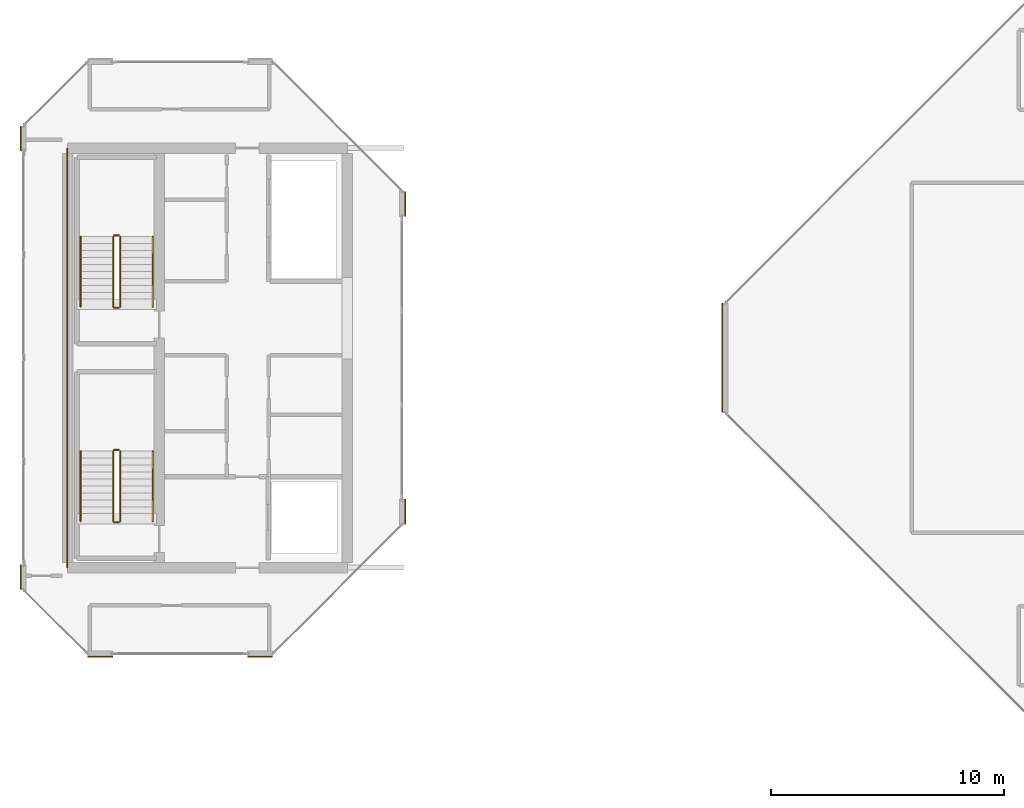
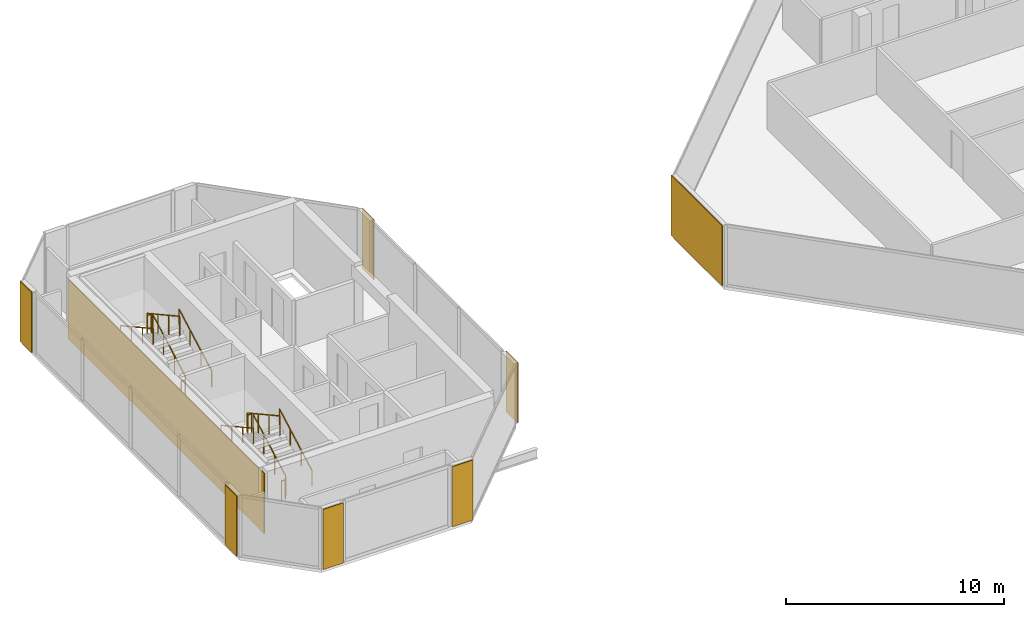
# One storey, part 26 of 28: 12 railings, 8 coverings.
"""IFC4 building model written with IfcOpenShell, lengths in metres."""

from ifc_helpers import new_model, si_unit, direction, frame, origin, origin_2d, place, context, subcontext, project, spatial, rectangle, extrude, material, layer, layer_set, type_object, element, save


model = new_model("IFC4")

# Units and contexts
model_context = context("Model", 3, precision=1e-05, world=origin(), true_north=direction((0.0, 1.0)))
body_context = subcontext(model_context, "Body", "Model", "MODEL_VIEW")
ifc_project = project(units=[si_unit("LENGTHUNIT", "METRE"), si_unit("AREAUNIT", "SQUARE_METRE"), si_unit("VOLUMEUNIT", "CUBIC_METRE"), si_unit("PLANEANGLEUNIT", "RADIAN"), si_unit("MASSUNIT", "GRAM", prefix="KILO")], contexts=[model_context])

# Site, building, storey
site_placement = place(None, origin())
site = spatial("IfcSite", under=ifc_project, at=site_placement, CompositionType="ELEMENT")
building_placement = place(site_placement, origin())
building = spatial("IfcBuilding", under=site, at=building_placement, Name="Tanjung Sevakor Pilgrim Tower", CompositionType="ELEMENT")
storey_placement = place(building_placement, frame((0.0, 0.0, 249.81005859375)))
storey = spatial("IfcBuildingStorey", under=building, at=storey_placement, Name="L70", CompositionType="ELEMENT", Elevation=249.81005859375)

# Coverings
ifc_material_1 = material(Name="Reconstructed Limestone Cladding", Category="masonry")
ifc_layer = layer(ifc_material_1, 0.044921875)
ifc_layer_set = layer_set([ifc_layer], Name="COV-CLAD-LIMESTONE")
covering_type = type_object("IfcCoveringType", Name="COV-CLAD-LIMESTONE", PredefinedType="CLADDING", material=ifc_layer_set)
for number, where, z_axis, x_axis, name in (
    (1, (25.3955078125, 20.777587890625, 0.019775390625), (0.0, 0.0, 1.0), (1.0, 0.0, 0.0), "L70 Warm Limestone Wall Cladding EW-CRN1-L70-WEST-0-1"),
    (2, (32.25439453125, 20.777587890625, 0.019775390625), (0.0, 0.0, 1.0), (1.0, 0.0, 0.0), "L70 Warm Limestone Wall Cladding EW-CRN2-L70-WEST-0-1"),
    (3, (38.472412109375, 26.99560546875, 0.019775390625), (0.0, 0.0, 1.0), (0.0, 1.0, 0.0), "L70 Warm Limestone Wall Cladding EW-CRN1-L70-WEST-2-1"),
    (4, (38.472412109375, 40.204345703125, 0.019775390625), (0.0, 0.0, 1.0), (0.0, 1.0, 0.0), "L70 Warm Limestone Wall Cladding EW-CRN2-L70-WEST-2-1"),
    (5, (21.9775390625, 43.00439453125, 0.019775390625), (0.0, 0.0, 1.0), (0.0, -1.0, 0.0), "L70 Warm Limestone Wall Cladding EW-CRN1-L70-WEST-6-1"),
    (6, (21.9775390625, 24.195556640625, 0.019775390625), (0.0, 0.0, 1.0), (0.0, -1.0, 0.0), "L70 Warm Limestone Wall Cladding EW-CRN2-L70-WEST-6-1"),
):
    element("IfcCovering", number, at=place(storey_placement, frame(where, z_axis=z_axis, x_axis=x_axis)), inside=storey, type_object=covering_type, Name=name, PredefinedType="CLADDING", context=body_context, shape_type="SweptSolid", body=[
        extrude(rectangle(XDim=1.06005859375, YDim=0.044921875, at=origin_2d()), origin(), (0.0, 0.0, 1.0), 3.3701171875),
    ])
covering_1_placement = place(storey_placement, frame((52.077392578125, 33.60009765625, 0.019775390625), z_axis=(0.0, 0.0, 1.0), x_axis=(0.0, -1.0, 0.0)))
element("IfcCovering", 7, at=covering_1_placement, inside=storey, type_object=covering_type, Name="L70 Warm Limestone Wall Cladding EW-L70-EAST-7", PredefinedType="CLADDING", context=body_context, shape_type="SweptSolid", body=[
    extrude(rectangle(XDim=4.668701171875, YDim=0.044921875, at=origin_2d()), origin(), (0.0, 0.0, 1.0), 3.3701171875),
])
covering_2_placement = place(storey_placement, frame((23.9775390625, 33.60009765625, 0.019775390625), z_axis=(0.0, 0.0, 1.0), x_axis=(1.0, 0.0, 0.0)))
element("IfcCovering", 8, at=covering_2_placement, inside=storey, type_object=covering_type, Name="L70 Expressed Core Warm Limestone Cladding W", PredefinedType="CLADDING", context=body_context, shape_type="SweptSolid", body=[
    extrude(rectangle(XDim=0.044921875, YDim=18.0, at=origin_2d()), origin(), (0.0, 0.0, 1.0), 3.3701171875),
])

# Railings
ifc_material_2 = material(Name="Steel S355J2", Category="steel")
railing_type_1 = type_object("IfcRailingType", Name="RL-STAIR-GUARD", PredefinedType="GUARDRAIL", material=ifc_material_2)
railing_1_placement = place(storey_placement, frame((26.25, 26.60009765625, 0.1650390625)))
element("IfcRailing", 9, at=railing_1_placement, inside=storey, type_object=railing_type_1, Name="L70 TS-W1 stair guard 1", PredefinedType="GUARDRAIL", context=body_context, shape_type="SweptSolid", body=[
    extrude(rectangle(XDim=0.0479, YDim=0.0479), frame((0.0, 0.0, 1.076171875), z_axis=(0.0, 0.876227952683, 0.48189685093), x_axis=(-1.0, 0.0, 0.0)), (0.0, 0.0, 1.0), 3.423828125),
    extrude(rectangle(XDim=0.042, YDim=0.042), origin(), (0.0, 0.0, 1.0), 1.052001953125),
    extrude(rectangle(XDim=0.042, YDim=0.042), frame((0.0, 1.0, 0.550048828125)), (0.0, 0.0, 1.0), 1.052001953125),
    extrude(rectangle(XDim=0.042, YDim=0.042), frame((0.0, 2.0, 1.099853515625)), (0.0, 0.0, 1.0), 1.052001953125),
    extrude(rectangle(XDim=0.042, YDim=0.042), frame((0.0, 3.0, 1.64990234375)), (0.0, 0.0, 1.0), 1.052001953125),
])
railing_2_placement = place(storey_placement, frame((26.199951171875, 29.64990234375, 1.81494140625)))
element("IfcRailing", 10, at=railing_2_placement, inside=storey, type_object=railing_type_1, Name="L70 TS-W1 stair guard 2", PredefinedType="GUARDRAIL", context=body_context, shape_type="SweptSolid", body=[
    extrude(rectangle(XDim=0.0479, YDim=0.0479), frame((0.0, 0.0, 1.076171875), z_axis=(-1.0, 0.0, 0.0), x_axis=(0.0, -1.0, 0.0)), (0.0, 0.0, 1.0), 0.199951171875),
    extrude(rectangle(XDim=0.042, YDim=0.042), origin(), (0.0, 0.0, 1.0), 1.052001953125),
    extrude(rectangle(XDim=0.042, YDim=0.042), frame((-0.199951171875, 0.0, 0.0)), (0.0, 0.0, 1.0), 1.052001953125),
])
railing_3_placement = place(storey_placement, frame((25.949951171875, 29.60009765625, 1.97998046875)))
element("IfcRailing", 11, at=railing_3_placement, inside=storey, type_object=railing_type_1, Name="L70 TS-W1 stair guard 3", PredefinedType="GUARDRAIL", context=body_context, shape_type="SweptSolid", body=[
    extrude(rectangle(XDim=0.0479, YDim=0.0479), frame((0.0, 0.0, 1.076171875), z_axis=(0.0, -0.876227952683, 0.48189685093), x_axis=(1.0, 0.0, 0.0)), (0.0, 0.0, 1.0), 3.423828125),
    extrude(rectangle(XDim=0.042, YDim=0.042), origin(), (0.0, 0.0, 1.0), 1.052001953125),
    extrude(rectangle(XDim=0.042, YDim=0.042), frame((0.0, -1.0, 0.550048828125)), (0.0, 0.0, 1.0), 1.052001953125),
    extrude(rectangle(XDim=0.042, YDim=0.042), frame((0.0, -2.0, 1.099853515625)), (0.0, 0.0, 1.0), 1.052001953125),
    extrude(rectangle(XDim=0.042, YDim=0.042), frame((0.0, -3.0, 1.64990234375)), (0.0, 0.0, 1.0), 1.052001953125),
])
railing_4_placement = place(storey_placement, frame((26.199951171875, 26.550048828125, 0.0)))
element("IfcRailing", 12, at=railing_4_placement, inside=storey, type_object=railing_type_1, Name="L70 TS-W1 stair guard 4", PredefinedType="GUARDRAIL", context=body_context, shape_type="SweptSolid", body=[
    extrude(rectangle(XDim=0.0479, YDim=0.0479), frame((0.0, 0.0, 1.076171875), z_axis=(-1.0, 0.0, 0.0), x_axis=(0.0, -1.0, 0.0)), (0.0, 0.0, 1.0), 0.199951171875),
    extrude(rectangle(XDim=0.042, YDim=0.042), origin(), (0.0, 0.0, 1.0), 1.052001953125),
    extrude(rectangle(XDim=0.042, YDim=0.042), frame((-0.199951171875, 0.0, 0.0)), (0.0, 0.0, 1.0), 1.052001953125),
])
railing_5_placement = place(storey_placement, frame((26.25, 35.800048828125, 0.1650390625)))
element("IfcRailing", 13, at=railing_5_placement, inside=storey, type_object=railing_type_1, Name="L70 TS-W2 stair guard 1", PredefinedType="GUARDRAIL", context=body_context, shape_type="SweptSolid", body=[
    extrude(rectangle(XDim=0.0479, YDim=0.0479), frame((0.0, 0.0, 1.076171875), z_axis=(0.0, 0.876227952683, 0.48189685093), x_axis=(-1.0, 0.0, 0.0)), (0.0, 0.0, 1.0), 3.423828125),
    extrude(rectangle(XDim=0.042, YDim=0.042), origin(), (0.0, 0.0, 1.0), 1.052001953125),
    extrude(rectangle(XDim=0.042, YDim=0.042), frame((0.0, 1.0, 0.550048828125)), (0.0, 0.0, 1.0), 1.052001953125),
    extrude(rectangle(XDim=0.042, YDim=0.042), frame((0.0, 2.0, 1.099853515625)), (0.0, 0.0, 1.0), 1.052001953125),
    extrude(rectangle(XDim=0.042, YDim=0.042), frame((0.0, 3.0, 1.64990234375)), (0.0, 0.0, 1.0), 1.052001953125),
])
railing_6_placement = place(storey_placement, frame((26.199951171875, 38.85009765625, 1.81494140625)))
element("IfcRailing", 14, at=railing_6_placement, inside=storey, type_object=railing_type_1, Name="L70 TS-W2 stair guard 2", PredefinedType="GUARDRAIL", context=body_context, shape_type="SweptSolid", body=[
    extrude(rectangle(XDim=0.0479, YDim=0.0479), frame((0.0, 0.0, 1.076171875), z_axis=(-1.0, 0.0, 0.0), x_axis=(0.0, -1.0, 0.0)), (0.0, 0.0, 1.0), 0.199951171875),
    extrude(rectangle(XDim=0.042, YDim=0.042), origin(), (0.0, 0.0, 1.0), 1.052001953125),
    extrude(rectangle(XDim=0.042, YDim=0.042), frame((-0.199951171875, 0.0, 0.0)), (0.0, 0.0, 1.0), 1.052001953125),
])
railing_7_placement = place(storey_placement, frame((25.949951171875, 38.800048828125, 1.97998046875)))
element("IfcRailing", 15, at=railing_7_placement, inside=storey, type_object=railing_type_1, Name="L70 TS-W2 stair guard 3", PredefinedType="GUARDRAIL", context=body_context, shape_type="SweptSolid", body=[
    extrude(rectangle(XDim=0.0479, YDim=0.0479), frame((0.0, 0.0, 1.076171875), z_axis=(0.0, -0.876227952683, 0.48189685093), x_axis=(1.0, 0.0, 0.0)), (0.0, 0.0, 1.0), 3.423828125),
    extrude(rectangle(XDim=0.042, YDim=0.042), origin(), (0.0, 0.0, 1.0), 1.052001953125),
    extrude(rectangle(XDim=0.042, YDim=0.042), frame((0.0, -1.0, 0.550048828125)), (0.0, 0.0, 1.0), 1.052001953125),
    extrude(rectangle(XDim=0.042, YDim=0.042), frame((0.0, -2.0, 1.099853515625)), (0.0, 0.0, 1.0), 1.052001953125),
    extrude(rectangle(XDim=0.042, YDim=0.042), frame((0.0, -3.0, 1.64990234375)), (0.0, 0.0, 1.0), 1.052001953125),
])
railing_8_placement = place(storey_placement, frame((26.199951171875, 35.75, 0.0)))
element("IfcRailing", 16, at=railing_8_placement, inside=storey, type_object=railing_type_1, Name="L70 TS-W2 stair guard 4", PredefinedType="GUARDRAIL", context=body_context, shape_type="SweptSolid", body=[
    extrude(rectangle(XDim=0.0479, YDim=0.0479), frame((0.0, 0.0, 1.076171875), z_axis=(-1.0, 0.0, 0.0), x_axis=(0.0, -1.0, 0.0)), (0.0, 0.0, 1.0), 0.199951171875),
    extrude(rectangle(XDim=0.042, YDim=0.042), origin(), (0.0, 0.0, 1.0), 1.052001953125),
    extrude(rectangle(XDim=0.042, YDim=0.042), frame((-0.199951171875, 0.0, 0.0)), (0.0, 0.0, 1.0), 1.052001953125),
])
ifc_material_3 = material(Name="Steel S355J2", Category="steel")
railing_type_2 = type_object("IfcRailingType", Name="RL-STAIR-HAND", PredefinedType="HANDRAIL", material=ifc_material_3)
railing_9_placement = place(storey_placement, frame((27.64990234375, 26.60009765625, 0.1650390625)))
element("IfcRailing", 17, at=railing_9_placement, inside=storey, type_object=railing_type_2, Name="L70 TS-W1 stair handrail 1", PredefinedType="HANDRAIL", context=body_context, shape_type="SweptSolid", body=[
    extrude(rectangle(XDim=0.0479, YDim=0.0479), frame((0.0, 0.0, 0.8759765625), z_axis=(0.0, 0.876227952683, 0.48189685093), x_axis=(-1.0, 0.0, 0.0)), (0.0, 0.0, 1.0), 3.423828125),
    extrude(rectangle(XDim=0.042, YDim=0.042), origin(), (0.0, 0.0, 1.0), 0.851806640625),
    extrude(rectangle(XDim=0.042, YDim=0.042), frame((0.0, 1.0, 0.550048828125)), (0.0, 0.0, 1.0), 0.851806640625),
    extrude(rectangle(XDim=0.042, YDim=0.042), frame((0.0, 2.0, 1.099853515625)), (0.0, 0.0, 1.0), 0.851806640625),
    extrude(rectangle(XDim=0.042, YDim=0.042), frame((0.0, 3.0, 1.64990234375)), (0.0, 0.0, 1.0), 0.851806640625),
])
railing_10_placement = place(storey_placement, frame((24.550048828125, 29.60009765625, 1.97998046875)))
element("IfcRailing", 18, at=railing_10_placement, inside=storey, type_object=railing_type_2, Name="L70 TS-W1 stair handrail 2", PredefinedType="HANDRAIL", context=body_context, shape_type="SweptSolid", body=[
    extrude(rectangle(XDim=0.0479, YDim=0.0479), frame((0.0, 0.0, 0.8759765625), z_axis=(0.0, -0.876227952683, 0.48189685093), x_axis=(1.0, 0.0, 0.0)), (0.0, 0.0, 1.0), 3.423828125),
    extrude(rectangle(XDim=0.042, YDim=0.042), origin(), (0.0, 0.0, 1.0), 0.851806640625),
    extrude(rectangle(XDim=0.042, YDim=0.042), frame((0.0, -1.0, 0.550048828125)), (0.0, 0.0, 1.0), 0.851806640625),
    extrude(rectangle(XDim=0.042, YDim=0.042), frame((0.0, -2.0, 1.099853515625)), (0.0, 0.0, 1.0), 0.851806640625),
    extrude(rectangle(XDim=0.042, YDim=0.042), frame((0.0, -3.0, 1.64990234375)), (0.0, 0.0, 1.0), 0.851806640625),
])
railing_11_placement = place(storey_placement, frame((27.64990234375, 35.800048828125, 0.1650390625)))
element("IfcRailing", 19, at=railing_11_placement, inside=storey, type_object=railing_type_2, Name="L70 TS-W2 stair handrail 1", PredefinedType="HANDRAIL", context=body_context, shape_type="SweptSolid", body=[
    extrude(rectangle(XDim=0.0479, YDim=0.0479), frame((0.0, 0.0, 0.8759765625), z_axis=(0.0, 0.876227952683, 0.48189685093), x_axis=(-1.0, 0.0, 0.0)), (0.0, 0.0, 1.0), 3.423828125),
    extrude(rectangle(XDim=0.042, YDim=0.042), origin(), (0.0, 0.0, 1.0), 0.851806640625),
    extrude(rectangle(XDim=0.042, YDim=0.042), frame((0.0, 1.0, 0.550048828125)), (0.0, 0.0, 1.0), 0.851806640625),
    extrude(rectangle(XDim=0.042, YDim=0.042), frame((0.0, 2.0, 1.099853515625)), (0.0, 0.0, 1.0), 0.851806640625),
    extrude(rectangle(XDim=0.042, YDim=0.042), frame((0.0, 3.0, 1.64990234375)), (0.0, 0.0, 1.0), 0.851806640625),
])
railing_12_placement = place(storey_placement, frame((24.550048828125, 38.800048828125, 1.97998046875)))
element("IfcRailing", 20, at=railing_12_placement, inside=storey, type_object=railing_type_2, Name="L70 TS-W2 stair handrail 2", PredefinedType="HANDRAIL", context=body_context, shape_type="SweptSolid", body=[
    extrude(rectangle(XDim=0.0479, YDim=0.0479), frame((0.0, 0.0, 0.8759765625), z_axis=(0.0, -0.876227952683, 0.48189685093), x_axis=(1.0, 0.0, 0.0)), (0.0, 0.0, 1.0), 3.423828125),
    extrude(rectangle(XDim=0.042, YDim=0.042), origin(), (0.0, 0.0, 1.0), 0.851806640625),
    extrude(rectangle(XDim=0.042, YDim=0.042), frame((0.0, -1.0, 0.550048828125)), (0.0, 0.0, 1.0), 0.851806640625),
    extrude(rectangle(XDim=0.042, YDim=0.042), frame((0.0, -2.0, 1.099853515625)), (0.0, 0.0, 1.0), 0.851806640625),
    extrude(rectangle(XDim=0.042, YDim=0.042), frame((0.0, -3.0, 1.64990234375)), (0.0, 0.0, 1.0), 0.851806640625),
])

save(model, "model.ifc")
